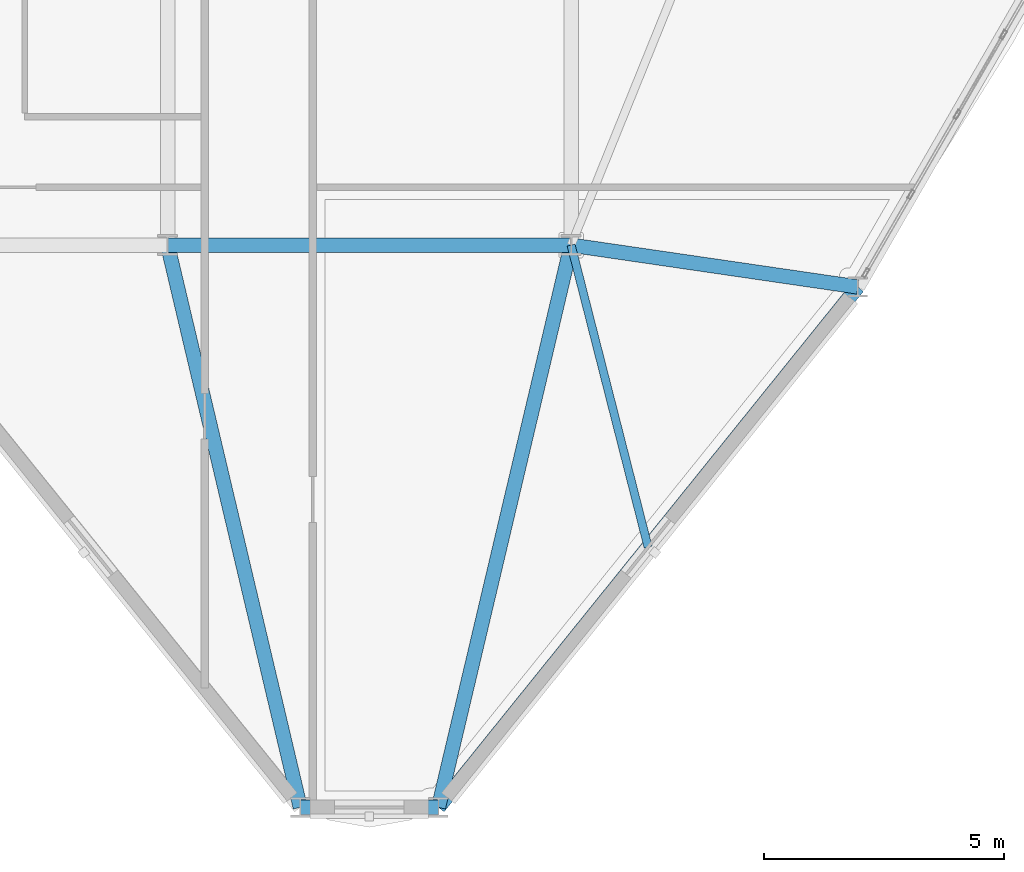
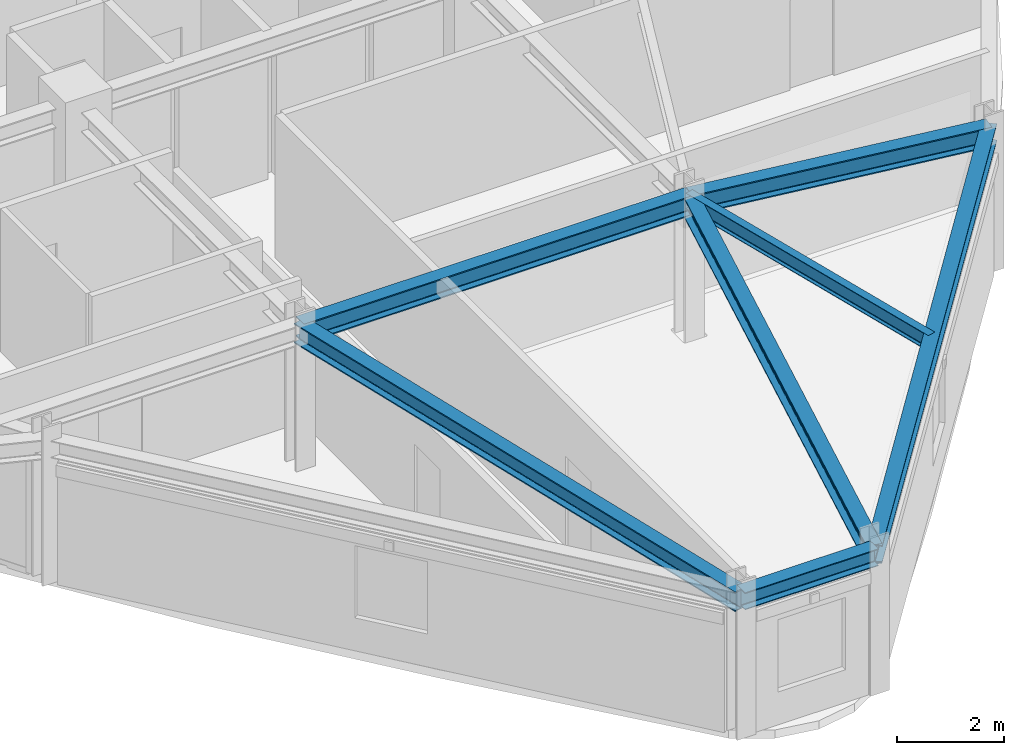
# One storey, part 3 of 16: 7 beams.
"""IFC4 building model written with IfcOpenShell, lengths in metres."""

from ifc_helpers import new_model, si_unit, derived_unit, direction, frame, origin, origin_2d, place, context, subcontext, project, spatial, i_section, extrude, source, transform, mapped, material, material_profile, profile_set, type_object, element, save


model = new_model("IFC4")

# Units and contexts
model_context = context("Model", 3, precision=1e-05, world=origin(), true_north=direction((0.0, 1.0)))
body_context = subcontext(model_context, "Body", "Model", "MODEL_VIEW")
ifc_project = project(units=[si_unit("LENGTHUNIT", "METRE"), si_unit("AREAUNIT", "SQUARE_METRE"), si_unit("VOLUMEUNIT", "CUBIC_METRE"), si_unit("PLANEANGLEUNIT", "RADIAN"), si_unit("MASSUNIT", "GRAM", prefix="KILO"), derived_unit("THERMALTRANSMITTANCEUNIT", [(si_unit("POWERUNIT", "WATT"), 1), (si_unit("LENGTHUNIT", "METRE"), -2), (si_unit("THERMODYNAMICTEMPERATUREUNIT", "KELVIN"), -1)])], contexts=[model_context])

# Site, building, storey
site_placement = place(None, origin())
site = spatial("IfcSite", under=ifc_project, at=site_placement, CompositionType="ELEMENT")
building_placement = place(site_placement, origin())
building = spatial("IfcBuilding", under=site, at=building_placement, Name="Korsvarv Bourse and Concert Hall", CompositionType="ELEMENT")
storey_placement = place(building_placement, frame((0.0, 0.0, 234.60009765625)))
storey = spatial("IfcBuildingStorey", under=building, at=storey_placement, Name="L61", CompositionType="ELEMENT", Elevation=234.60009765625)

# Beams
ifc_material = material(Name="Steel S355", Category="steel")
ifc_material_profile_1 = material_profile(ifc_material, i_section(OverallWidth=0.300048828125, OverallDepth=0.449951171875, WebThickness=0.013916015625, FlangeThickness=0.02587890625, FilletRadius=0.02099609375, at=origin_2d()), Name="HEB 450")
ifc_profile_set_1 = profile_set([ifc_material_profile_1], Name="Steel S355")
beam_type_1 = type_object("IfcBeamType", Name="BM-HEB450", PredefinedType="SPANDREL", material=ifc_profile_set_1)
shared_shape_1 = source(origin(), body_context, "Body", "SweptSolid", [
    extrude(i_section(OverallWidth=0.300048828125, OverallDepth=0.449951171875, WebThickness=0.013916015625, FlangeThickness=0.02587890625, FilletRadius=0.02099609375, at=origin_2d()), origin(), (0.0, 0.0, 1.0), 8.39990234375),
])
beam_1_placement = place(storey_placement, frame((36.0, 24.0, 3.034912109375), z_axis=(1.0, 0.0, 0.0), x_axis=(0.0, 1.0, 0.0)))
element("IfcBeam", 1, at=beam_1_placement, inside=storey, type_object=beam_type_1, Name="L61 beam B-08", PredefinedType="SPANDREL", context=body_context, shape_type="MappedRepresentation", body=[
    mapped(shared_shape_1, transform((0.0, 0.0, 0.0), scale=1.0)),
])
ifc_material_profile_2 = material_profile(ifc_material, i_section(OverallWidth=0.300048828125, OverallDepth=0.389892578125, WebThickness=0.010986328125, FlangeThickness=0.01904296875, FilletRadius=0.02099609375, at=origin_2d()), Name="HEA 400")
ifc_profile_set_2 = profile_set([ifc_material_profile_2], Name="Steel S355")
beam_type_2 = type_object("IfcBeamType", Name="BM-HEA400", PredefinedType="BEAM", material=ifc_profile_set_2)
shared_shape_2 = source(origin(), body_context, "Body", "SweptSolid", [
    extrude(i_section(OverallWidth=0.300048828125, OverallDepth=0.389892578125, WebThickness=0.010986328125, FlangeThickness=0.01904296875, FilletRadius=0.02099609375, at=origin_2d()), origin(), (0.0, 0.0, 1.0), 2.876708984375),
])
beam_2_placement = place(storey_placement, frame((38.76171875, 12.296142578125, 3.06494140625), z_axis=(1.0, 0.0, 0.0), x_axis=(0.0, 1.0, 0.0)))
element("IfcBeam", 2, at=beam_2_placement, inside=storey, type_object=beam_type_2, Name="L61 beam B-11", PredefinedType="BEAM", context=body_context, shape_type="MappedRepresentation", body=[
    mapped(shared_shape_2, transform((0.0, 0.0, 0.0), scale=1.0)),
])
shared_shape_3 = source(origin(), body_context, "Body", "SweptSolid", [
    extrude(i_section(OverallWidth=0.300048828125, OverallDepth=0.389892578125, WebThickness=0.010986328125, FlangeThickness=0.01904296875, FilletRadius=0.02099609375, at=origin_2d()), origin(), (0.0, 0.0, 1.0), 13.913330078125),
])
beam_3_placement = place(storey_placement, frame((41.638427734375, 12.296142578125, 3.06494140625), z_axis=(0.627451613124, 0.778655554907, 0.0), x_axis=(-0.778655554907, 0.627451613124, 0.0)))
element("IfcBeam", 3, at=beam_3_placement, inside=storey, type_object=beam_type_2, Name="L61 beam B-11", PredefinedType="BEAM", context=body_context, shape_type="MappedRepresentation", body=[
    mapped(shared_shape_3, transform((0.0, 0.0, 0.0), scale=1.0)),
])
shared_shape_4 = source(origin(), body_context, "Body", "SweptSolid", [
    extrude(i_section(OverallWidth=0.300048828125, OverallDepth=0.449951171875, WebThickness=0.013916015625, FlangeThickness=0.02587890625, FilletRadius=0.02099609375, at=origin_2d()), origin(), (0.0, 0.0, 1.0), 12.025390625),
])
beam_4_placement = place(storey_placement, frame((38.76171875, 12.296142578125, 3.034912109375), z_axis=(-0.229659405453, 0.973271060644, 0.0), x_axis=(-0.973271060644, -0.229659405453, 0.0)))
element("IfcBeam", 4, at=beam_4_placement, inside=storey, type_object=beam_type_1, Name="L61 beam B-08", PredefinedType="SPANDREL", context=body_context, shape_type="MappedRepresentation", body=[
    mapped(shared_shape_4, transform((0.0, 0.0, 0.0), scale=1.0)),
])
shared_shape_5 = source(origin(), body_context, "Body", "SweptSolid", [
    extrude(i_section(OverallWidth=0.300048828125, OverallDepth=0.449951171875, WebThickness=0.013916015625, FlangeThickness=0.02587890625, FilletRadius=0.02099609375, at=origin_2d()), origin(), (0.0, 0.0, 1.0), 12.025146484375),
])
beam_5_placement = place(storey_placement, frame((41.638427734375, 12.296142578125, 3.034912109375), z_axis=(0.229640173849, 0.973275598458, 0.0), x_axis=(-0.973275598458, 0.229640173849, 0.0)))
element("IfcBeam", 5, at=beam_5_placement, inside=storey, type_object=beam_type_1, Name="L61 beam B-08", PredefinedType="SPANDREL", context=body_context, shape_type="MappedRepresentation", body=[
    mapped(shared_shape_5, transform((0.0, 0.0, 0.0), scale=1.0)),
])
shared_shape_6 = source(origin(), body_context, "Body", "SweptSolid", [
    extrude(i_section(OverallWidth=0.300048828125, OverallDepth=0.449951171875, WebThickness=0.013916015625, FlangeThickness=0.02587890625, FilletRadius=0.02099609375, at=origin_2d()), origin(), (0.0, 0.0, 1.0), 6.031494140625),
])
beam_6_placement = place(storey_placement, frame((50.368408203125, 23.1298828125, 3.034912109375), z_axis=(-0.98953984365, 0.144259827495, 0.0), x_axis=(-0.144259827495, -0.98953984365, 0.0)))
element("IfcBeam", 6, at=beam_6_placement, inside=storey, type_object=beam_type_1, Name="L61 beam B-08", PredefinedType="SPANDREL", context=body_context, shape_type="MappedRepresentation", body=[
    mapped(shared_shape_6, transform((0.0, 0.0, 0.0), scale=1.0)),
])
ifc_material_profile_3 = material_profile(ifc_material, i_section(OverallWidth=0.169921875, OverallDepth=0.360107421875, WebThickness=0.008056640625, FlangeThickness=0.0126953125, FilletRadius=0.01806640625, at=origin_2d()), Name="IPE 360")
ifc_profile_set_3 = profile_set([ifc_material_profile_3], Name="Steel S355")
beam_type_3 = type_object("IfcBeamType", Name="BM-IPE360", PredefinedType="JOIST", material=ifc_profile_set_3)
shared_shape_7 = source(origin(), body_context, "Body", "SweptSolid", [
    extrude(i_section(OverallWidth=0.169921875, OverallDepth=0.360107421875, WebThickness=0.008056640625, FlangeThickness=0.0126953125, FilletRadius=0.01806640625, at=origin_2d()), origin(), (0.0, 0.0, 1.0), 6.48828125),
])
beam_7_placement = place(storey_placement, frame((46.00341796875, 17.712890625, 3.079833984375), z_axis=(-0.247136716269, 0.968980620793, 0.0), x_axis=(-0.968980620793, -0.247136716269, 0.0)))
element("IfcBeam", 7, at=beam_7_placement, inside=storey, type_object=beam_type_3, Name="L61 beam J-06", PredefinedType="JOIST", context=body_context, shape_type="MappedRepresentation", body=[
    mapped(shared_shape_7, transform((0.0, 0.0, 0.0), scale=1.0)),
])

save(model, "model.ifc")
